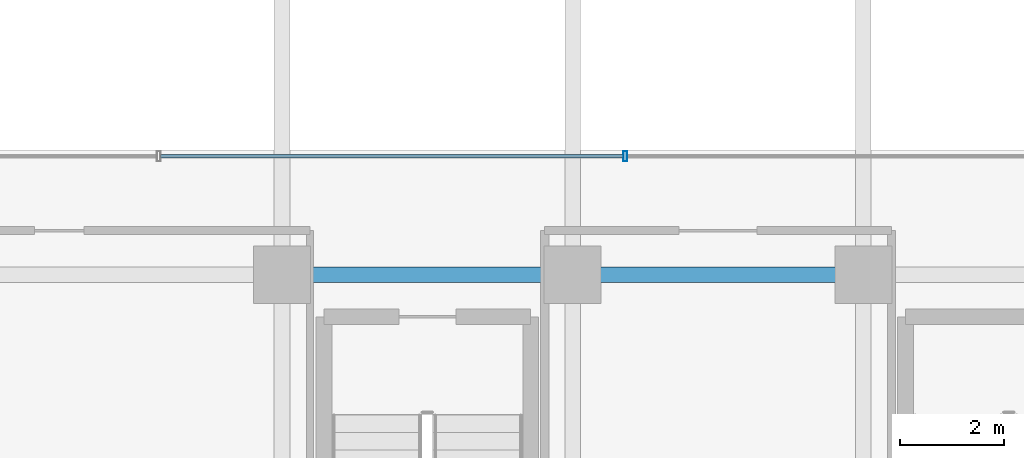
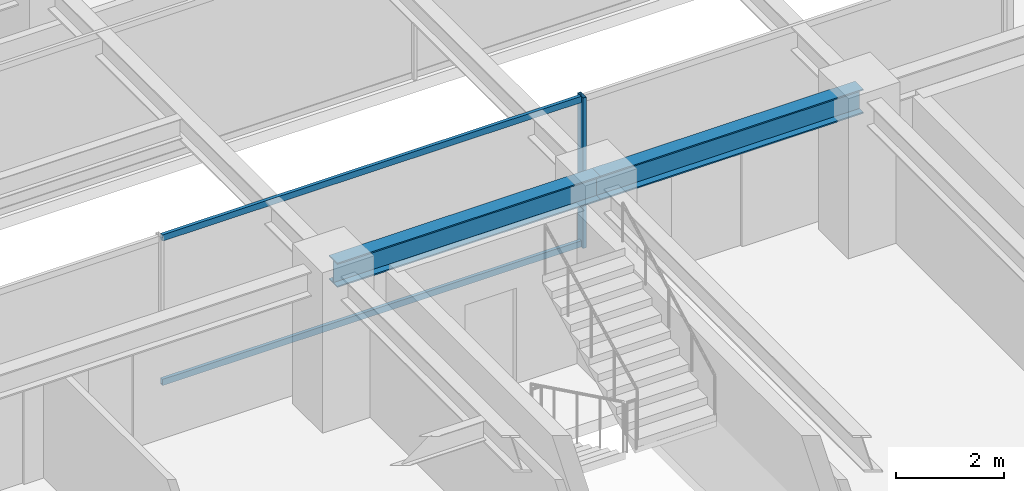
# One storey, part 9 of 35: 3 members, 2 beams, 1 element without a shape of its own.
"""IFC4 building model written with IfcOpenShell, lengths in metres."""

from ifc_helpers import new_model, si_unit, direction, frame, origin, origin_2d, place, context, subcontext, project, spatial, hollow_rectangle, i_section, extrude, source, transform, mapped, material, material_profile, profile_set, type_object, element, aggregate, save


model = new_model("IFC4")

# Units and contexts
model_context = context("Model", 3, precision=1e-05, world=origin(), true_north=direction((0.0, 1.0)))
body_context = subcontext(model_context, "Body", "Model", "MODEL_VIEW")
ifc_project = project(units=[si_unit("LENGTHUNIT", "METRE"), si_unit("AREAUNIT", "SQUARE_METRE"), si_unit("VOLUMEUNIT", "CUBIC_METRE"), si_unit("PLANEANGLEUNIT", "RADIAN"), si_unit("MASSUNIT", "GRAM", prefix="KILO")], contexts=[model_context])

# Site, building, storey
site_placement = place(None, origin())
site = spatial("IfcSite", under=ifc_project, at=site_placement, CompositionType="ELEMENT")
building_placement = place(site_placement, origin())
building = spatial("IfcBuilding", under=site, at=building_placement, Name="Nahalor Promenade Grand Hotel", CompositionType="ELEMENT")
storey_placement = place(building_placement, frame((0.0, 0.0, 185.5)))
storey = spatial("IfcBuildingStorey", under=building, at=storey_placement, Name="L47", CompositionType="ELEMENT", Elevation=185.5)

# Beams
ifc_material_1 = material(Name="Steel S355JR", Category="steel")
ifc_material_profile_1 = material_profile(ifc_material_1, i_section(OverallWidth=0.3, OverallDepth=0.55, WebThickness=0.015, FlangeThickness=0.029, at=origin_2d()), Name="HEB 550")
ifc_profile_set_1 = profile_set([ifc_material_profile_1], Name="Steel S355JR")
beam_type = type_object("IfcBeamType", Name="Beam-Girder-HEB550", PredefinedType="BEAM", material=ifc_profile_set_1)
shared_shape_1 = source(origin(), body_context, "Body", "SweptSolid", [
    extrude(i_section(OverallWidth=0.3, OverallDepth=0.55, WebThickness=0.015, FlangeThickness=0.029, at=origin_2d()), origin(), (0.0, 0.0, 1.0), 5.599853515625),
])
beam_1_placement = place(storey_placement, frame((-8.39990234375, -5.39990234375, 3.114990234375), z_axis=(1.0, 0.0, 0.0), x_axis=(0.0, 1.0, 0.0)))
element("IfcBeam", 1, at=beam_1_placement, inside=storey, type_object=beam_type, Name="BM-L47-GX-1-2", PredefinedType="BEAM", context=body_context, shape_type="MappedRepresentation", body=[
    mapped(shared_shape_1, transform((0.0, 0.0, 0.0), scale=1.0)),
])
shared_shape_2 = source(origin(), body_context, "Body", "SweptSolid", [
    extrude(i_section(OverallWidth=0.3, OverallDepth=0.55, WebThickness=0.015, FlangeThickness=0.029, at=origin_2d()), origin(), (0.0, 0.0, 1.0), 5.60009765625),
])
beam_2_placement = place(storey_placement, frame((-2.800048828125, -5.39990234375, 3.114990234375), z_axis=(1.0, 0.0, 0.0), x_axis=(0.0, 1.0, 0.0)))
element("IfcBeam", 2, at=beam_2_placement, inside=storey, type_object=beam_type, Name="BM-L47-GX-1-3", PredefinedType="BEAM", context=body_context, shape_type="MappedRepresentation", body=[
    mapped(shared_shape_2, transform((0.0, 0.0, 0.0), scale=1.0)),
])

# Curtain wall, members
ifc_material_2 = material(Name="Anodised Bronze Aluminium EN AW-6063 T6", Category="aluminium")
curtain_wall_type = type_object("IfcCurtainWallType", Name="CW3 Elliptical-Void Collar Unitised Curtain Wall", PredefinedType="USERDEFINED", material=ifc_material_2)
curtain_wall_placement = place(storey_placement, origin())
curtain_wall = element("IfcCurtainWall", 3, at=curtain_wall_placement, inside=storey, type_object=curtain_wall_type, Name="L47 Curtain Wall CW-L47-VOID-WS1", ObjectType="UNITISED_CURTAIN_WALL", PredefinedType="USERDEFINED")
ifc_material_profile_2 = material_profile(ifc_material_2, hollow_rectangle(XDim=0.07, YDim=0.14, WallThickness=0.004, at=origin_2d()), Name="CWT 70x140x4")
ifc_profile_set_2 = profile_set([ifc_material_profile_2], Name="Anodised Bronze Aluminium EN AW-6063 T6")
member_type_1 = type_object("IfcMemberType", Name="CWT3 Void Collar Transom 70x140", PredefinedType="USERDEFINED", material=ifc_profile_set_2)
shared_shape_3 = source(origin(), body_context, "Body", "SweptSolid", [
    extrude(hollow_rectangle(XDim=0.07, YDim=0.14, WallThickness=0.004, at=origin_2d()), origin(), (0.0, 0.0, 1.0), 8.91650390625),
])
member_1_placement = place(storey_placement, frame((-10.73828125, -3.118896484375, 0.070068359375), z_axis=(1.0, 0.0, 0.0), x_axis=(0.0, 1.0, 0.0)))
member_1 = element("IfcMember", 4, at=member_1_placement, type_object=member_type_1, Name="CW-L47-VOID-WS1 Transom 1-0", ObjectType="TRANSOM", PredefinedType="USERDEFINED", context=body_context, shape_type="MappedRepresentation", body=[
    mapped(shared_shape_3, transform((0.0, 0.0, 0.0), scale=1.0)),
])
member_2_placement = place(storey_placement, frame((-10.73828125, -3.118896484375, 3.320068359375), z_axis=(1.0, 0.0, 0.0), x_axis=(0.0, 1.0, 0.0)))
member_2 = element("IfcMember", 5, at=member_2_placement, type_object=member_type_1, Name="CW-L47-VOID-WS1 Transom 1-1", ObjectType="TRANSOM", PredefinedType="USERDEFINED", context=body_context, shape_type="MappedRepresentation", body=[
    mapped(shared_shape_3, transform((0.0, 0.0, 0.0), scale=1.0)),
])
ifc_material_profile_3 = material_profile(ifc_material_2, hollow_rectangle(XDim=0.07, YDim=0.2, WallThickness=0.005, at=origin_2d()), Name="CWM 70x200x5")
ifc_profile_set_3 = profile_set([ifc_material_profile_3], Name="Anodised Bronze Aluminium EN AW-6063 T6")
member_type_2 = type_object("IfcMemberType", Name="CWM3 Void Collar Mullion 70x200", PredefinedType="MULLION", material=ifc_profile_set_3)
shared_shape_4 = source(origin(), body_context, "Body", "SweptSolid", [
    extrude(hollow_rectangle(XDim=0.07, YDim=0.2, WallThickness=0.005, at=origin_2d()), origin(), (0.0, 0.0, 1.0), 3.389892578125),
])
member_3_placement = place(storey_placement, frame((-1.78662109375, -3.118896484375, 0.0), z_axis=(0.0, 0.0, 1.0), x_axis=(1.0, 0.0, 0.0)))
member_3 = element("IfcMember", 6, at=member_3_placement, type_object=member_type_2, Name="CW-L47-VOID-WS1 Mullion 2", PredefinedType="MULLION", context=body_context, shape_type="MappedRepresentation", body=[
    mapped(shared_shape_4, transform((0.0, 0.0, 0.0), scale=1.0)),
])
aggregate(curtain_wall, [member_3, member_1, member_2])

save(model, "model.ifc")
